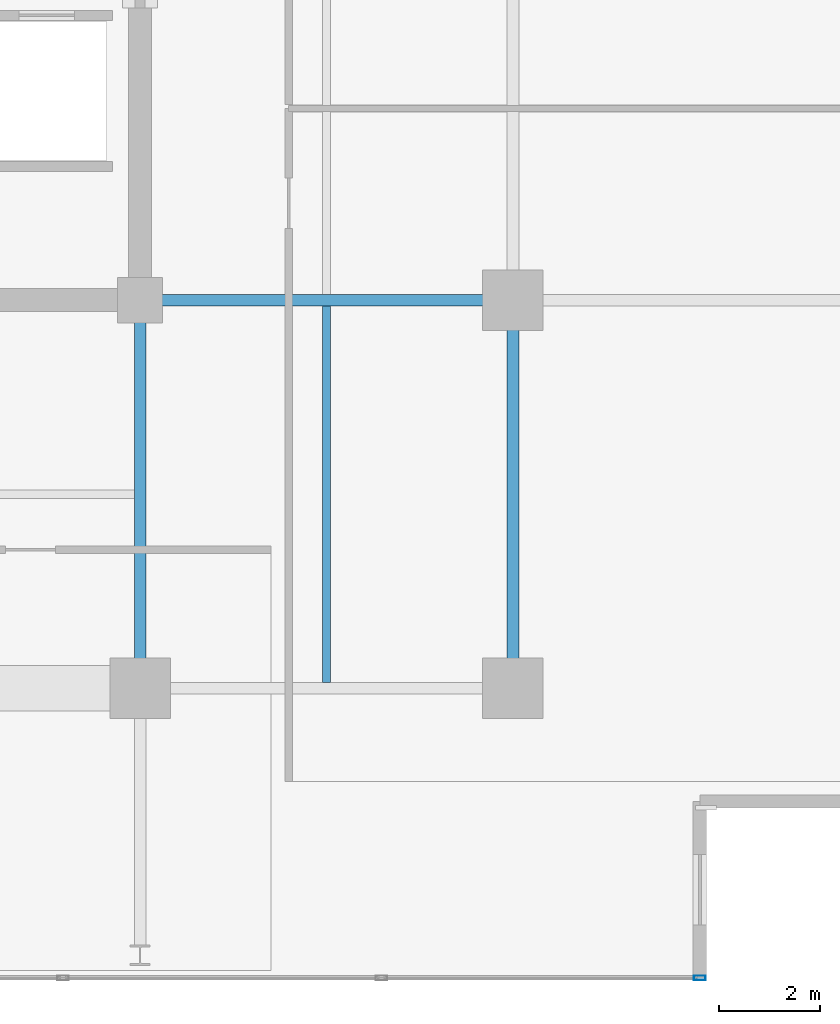
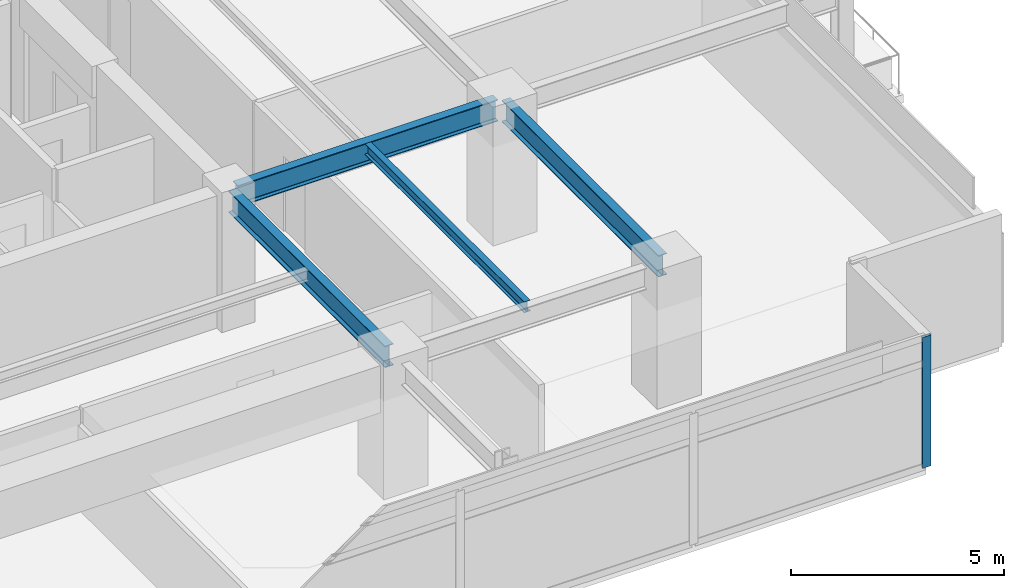
# One storey, part 7 of 24: 4 beams, 1 member, 1 element without a shape of its own.
"""IFC4 building model written with IfcOpenShell, lengths in metres."""

from ifc_helpers import new_model, si_unit, direction, frame, origin, origin_2d, place, context, subcontext, project, spatial, hollow_rectangle, i_section, extrude, material, material_profile, profile_set, type_object, element, aggregate, save


model = new_model("IFC4")

# Units and contexts
model_context = context("Model", 3, precision=1e-05, world=origin(), true_north=direction((0.0, 1.0)))
body_context = subcontext(model_context, "Body", "Model", "MODEL_VIEW")
ifc_project = project(units=[si_unit("LENGTHUNIT", "METRE"), si_unit("AREAUNIT", "SQUARE_METRE"), si_unit("VOLUMEUNIT", "CUBIC_METRE"), si_unit("PLANEANGLEUNIT", "RADIAN"), si_unit("MASSUNIT", "GRAM", prefix="KILO")], contexts=[model_context])

# Site, building, storey
site_placement = place(None, origin())
site = spatial("IfcSite", under=ifc_project, at=site_placement, CompositionType="ELEMENT")
building_placement = place(site_placement, origin())
building = spatial("IfcBuilding", under=site, at=building_placement, Name="Kovane Verandah Tower", CompositionType="ELEMENT")
storey_placement = place(building_placement, frame((0.0, 0.0, 271.199951171875)))
storey = spatial("IfcBuildingStorey", under=building, at=storey_placement, Name="L63", CompositionType="ELEMENT", Elevation=271.199951171875)

# Beams
ifc_material_1 = material(Name="Steel S355", Category="steel")
ifc_material_profile_1 = material_profile(ifc_material_1, i_section(OverallWidth=0.230224609375, OverallDepth=0.6171875, WebThickness=0.01318359375, FlangeThickness=0.022216796875, FilletRadius=0.0126953125, at=origin_2d()), Name="UB610x229x140")
ifc_profile_set_1 = profile_set([ifc_material_profile_1], Name="Steel S355")
beam_type_1 = type_object("IfcBeamType", Name="BM-UB610x140", PredefinedType="BEAM", material=ifc_profile_set_1)
beam_1_placement = place(storey_placement, frame((58.39990234375, 10.97998046875, 3.4765625), z_axis=(0.0, 1.0, 0.0), x_axis=(-1.0, 0.0, 0.0)))
element("IfcBeam", 1, at=beam_1_placement, inside=storey, type_object=beam_type_1, Name="L63 Primary Tower Girder G-RE1", PredefinedType="BEAM", context=body_context, shape_type="SweptSolid", body=[
    extrude(i_section(OverallWidth=0.230224609375, OverallDepth=0.6171875, WebThickness=0.01318359375, FlangeThickness=0.022216796875, FilletRadius=0.0126953125, at=origin_2d()), origin(), (0.0, 0.0, 1.0), 7.340087890625),
])
beam_2_placement = place(storey_placement, frame((51.179931640625, 18.5, 3.4765625), z_axis=(1.0, 0.0, 0.0), x_axis=(0.0, 1.0, 0.0)))
element("IfcBeam", 2, at=beam_2_placement, inside=storey, type_object=beam_type_1, Name="L63 Primary Tower Girder G-E1", PredefinedType="BEAM", context=body_context, shape_type="SweptSolid", body=[
    extrude(i_section(OverallWidth=0.230224609375, OverallDepth=0.6171875, WebThickness=0.01318359375, FlangeThickness=0.022216796875, FilletRadius=0.0126953125, at=origin_2d()), origin(), (0.0, 0.0, 1.0), 7.0400390625),
])
beam_3_placement = place(storey_placement, frame((51.0, 18.320068359375, 3.4765625), z_axis=(0.0, -1.0, 0.0), x_axis=(1.0, 0.0, 0.0)))
element("IfcBeam", 3, at=beam_3_placement, inside=storey, type_object=beam_type_1, Name="L63 Primary Tower Girder G-S2", PredefinedType="BEAM", context=body_context, shape_type="SweptSolid", body=[
    extrude(i_section(OverallWidth=0.230224609375, OverallDepth=0.6171875, WebThickness=0.01318359375, FlangeThickness=0.022216796875, FilletRadius=0.0126953125, at=origin_2d()), origin(), (0.0, 0.0, 1.0), 7.340087890625),
])

# Curtain wall, member
ifc_material_2 = material(Name="Champagne Anodised Aluminium Frame with Low-E Clear Laminated Glass", Category="aluminium")
curtain_wall_type = type_object("IfcCurtainWallType", Name="CW-SYS-05-HIGH", PredefinedType="NOTDEFINED", material=ifc_material_2)
curtain_wall_placement = place(storey_placement, origin())
curtain_wall = element("IfcCurtainWall", 4, at=curtain_wall_placement, inside=storey, type_object=curtain_wall_type, Name="L63 S Unitised Curtain Wall", PredefinedType="NOTDEFINED")
ifc_material_3 = material(Name="Champagne Anodised Aluminium 6063-T6", Category="aluminium")
ifc_material_profile_2 = material_profile(ifc_material_3, hollow_rectangle(XDim=0.0849609375, YDim=0.22998046875, WallThickness=0.00390625, at=origin_2d()), Name="AL85x230x4")
ifc_profile_set_2 = profile_set([ifc_material_profile_2], Name="Champagne Anodised Aluminium 6063-T6")
member_type = type_object("IfcMemberType", Name="CW-MUL-85x230", PredefinedType="MULLION", material=ifc_profile_set_2)
member_placement = place(storey_placement, frame((62.107177734375, 5.05029296875, 0.02001953125), z_axis=(0.0, 0.0, 1.0), x_axis=(0.0, -1.0, 0.0)))
member = element("IfcMember", 5, at=member_placement, type_object=member_type, Name="L63 S Unitised Curtain Wall Mullion 8", PredefinedType="MULLION", context=body_context, shape_type="SweptSolid", body=[
    extrude(hollow_rectangle(XDim=0.0849609375, YDim=0.22998046875, WallThickness=0.00390625, at=origin_2d()), origin(), (0.0, 0.0, 1.0), 3.7451171875),
])
aggregate(curtain_wall, [member])

# Beam
ifc_material_profile_3 = material_profile(ifc_material_1, i_section(OverallWidth=0.1669921875, OverallDepth=0.310302734375, WebThickness=0.0078125, FlangeThickness=0.013671875, FilletRadius=0.0087890625, at=origin_2d()), Name="UB305x165x54")
ifc_profile_set_3 = profile_set([ifc_material_profile_3], Name="Steel S355")
beam_type_2 = type_object("IfcBeamType", Name="JST-UB305x54", PredefinedType="JOIST", material=ifc_profile_set_3)
beam_4_placement = place(storey_placement, frame((54.699951171875, 10.9130859375, 3.6298828125), z_axis=(0.0, 1.0, 0.0), x_axis=(-1.0, 0.0, 0.0)))
element("IfcBeam", 6, at=beam_4_placement, inside=storey, type_object=beam_type_2, Name="L63 Secondary Composite Joist J-SE1", PredefinedType="JOIST", context=body_context, shape_type="SweptSolid", body=[
    extrude(i_section(OverallWidth=0.1669921875, OverallDepth=0.310302734375, WebThickness=0.0078125, FlangeThickness=0.013671875, FilletRadius=0.0087890625, at=origin_2d()), origin(), (0.0, 0.0, 1.0), 7.473876953125),
])

save(model, "model.ifc")
